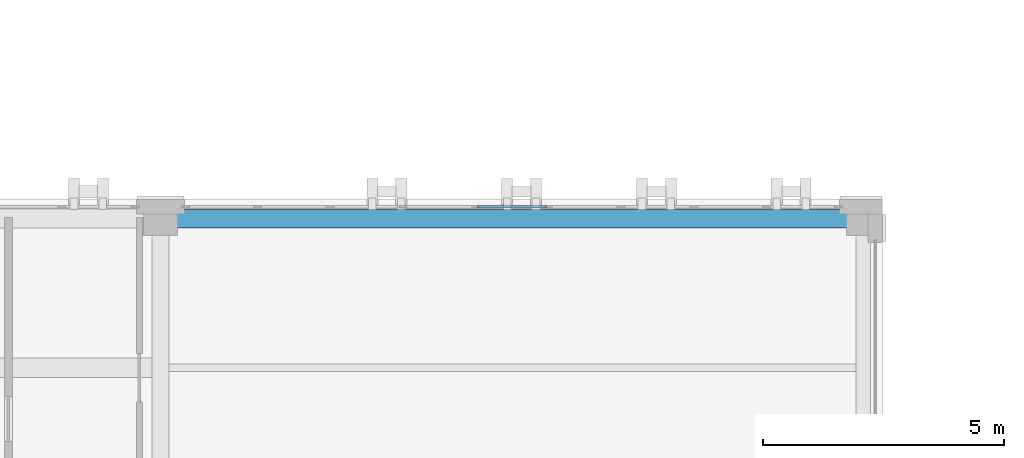
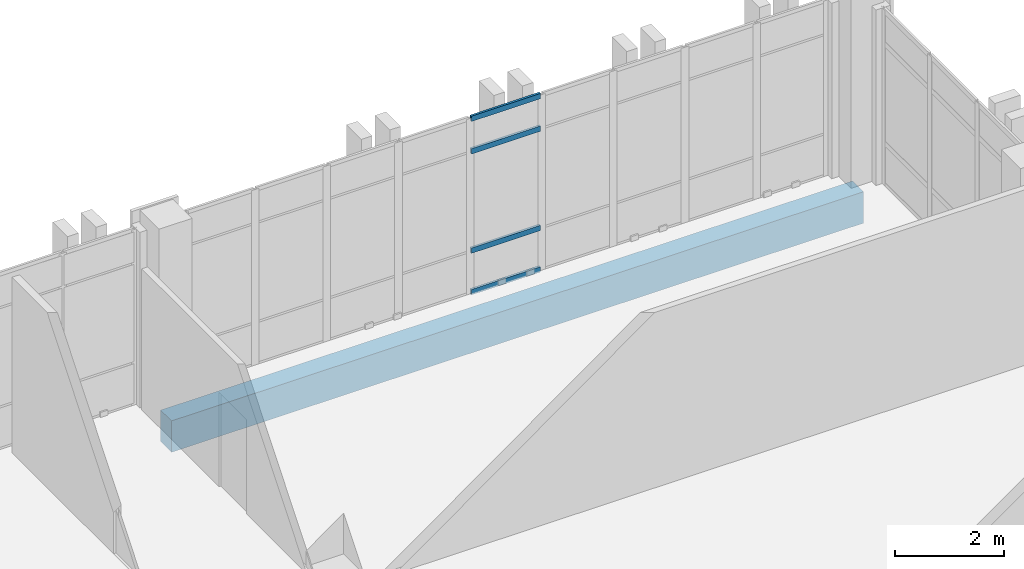
# One storey, part 111 of 193: 4 members, 1 beam, 1 element without a shape of its own.
"""IFC4 building model written with IfcOpenShell, lengths in metres."""

from ifc_helpers import new_model, si_unit, direction, frame, origin, origin_2d, place, context, subcontext, project, spatial, rectangle, hollow_rectangle, extrude, material, layer, layer_set, material_profile, profile_set, type_object, element, aggregate, save


model = new_model("IFC4")

# Units and contexts
model_context = context("Model", 3, precision=1e-05, world=origin(), true_north=direction((0.0, 1.0)))
body_context = subcontext(model_context, "Body", "Model", "MODEL_VIEW")
ifc_project = project(units=[si_unit("LENGTHUNIT", "METRE"), si_unit("AREAUNIT", "SQUARE_METRE"), si_unit("VOLUMEUNIT", "CUBIC_METRE"), si_unit("PLANEANGLEUNIT", "RADIAN"), si_unit("MASSUNIT", "GRAM", prefix="KILO")], contexts=[model_context])

# Site, building, storey
site_placement = place(None, origin())
site = spatial("IfcSite", under=ifc_project, at=site_placement, CompositionType="ELEMENT")
building_placement = place(site_placement, origin())
building = spatial("IfcBuilding", under=site, at=building_placement, Name="Qalavern Law Courts", CompositionType="ELEMENT")
storey_placement = place(building_placement, frame((0.0, 0.0, 10.199951171875)))
storey = spatial("IfcBuildingStorey", under=building, at=storey_placement, Name="L02", CompositionType="ELEMENT", Elevation=10.199951171875)

# Curtain wall, members
ifc_material_1 = material(Name="Anodised aluminium and insulated glazing", Category="aluminium")
ifc_layer = layer(ifc_material_1, 0.172119140625)
ifc_layer_set = layer_set([ifc_layer], Name="Anodised aluminium and insulated glazing")
curtain_wall_type = type_object("IfcCurtainWallType", Name="ENV-CW-COURT", PredefinedType="USERDEFINED", material=ifc_layer_set)
curtain_wall_placement = place(storey_placement, origin())
curtain_wall = element("IfcCurtainWall", 1, at=curtain_wall_placement, inside=storey, type_object=curtain_wall_type, Name="V4 unitised curtain wall L02 north 1", ObjectType="UNITISED CURTAIN WALL", PredefinedType="USERDEFINED")
ifc_material_2 = material(Name="Anodised aluminium", Category="aluminium")
ifc_material_profile_1 = material_profile(ifc_material_2, hollow_rectangle(XDim=0.048095703125, YDim=0.1201171875, WallThickness=0.00390625, at=origin_2d()), Name="ALU TRANSOM 48x120")
ifc_profile_set_1 = profile_set([ifc_material_profile_1], Name="Anodised aluminium")
member_type = type_object("IfcMemberType", Name="ENV-CWT-48x120", PredefinedType="USERDEFINED", material=ifc_profile_set_1)
member_1_placement = place(storey_placement, frame((99.83154296875, 85.64501953125, 0.024169921875), z_axis=(-1.0, 0.0, 0.0), x_axis=(0.0, -1.0, 0.0)))
member_1 = element("IfcMember", 2, at=member_1_placement, type_object=member_type, Name="CW-03 transom 5.1", ObjectType="TRANSOM", PredefinedType="USERDEFINED", context=body_context, shape_type="SweptSolid", body=[
    extrude(hollow_rectangle(XDim=0.048095703125, YDim=0.1201171875, WallThickness=0.00390625, at=origin_2d()), origin(), (0.0, 0.0, 1.0), 1.463134765625),
])
member_2_placement = place(storey_placement, frame((99.83154296875, 85.64501953125, 0.949951171875), z_axis=(-1.0, 0.0, 0.0), x_axis=(0.0, -1.0, 0.0)))
member_2 = element("IfcMember", 3, at=member_2_placement, type_object=member_type, Name="CW-03 transom 5.2", ObjectType="TRANSOM", PredefinedType="USERDEFINED", context=body_context, shape_type="SweptSolid", body=[
    extrude(hollow_rectangle(XDim=0.048095703125, YDim=0.1201171875, WallThickness=0.00390625, at=origin_2d()), origin(), (0.0, 0.0, 1.0), 1.463134765625),
])
member_3_placement = place(storey_placement, frame((99.83154296875, 85.64501953125, 3.1650390625), z_axis=(-1.0, 0.0, 0.0), x_axis=(0.0, -1.0, 0.0)))
member_3 = element("IfcMember", 4, at=member_3_placement, type_object=member_type, Name="CW-03 transom 5.3", ObjectType="TRANSOM", PredefinedType="USERDEFINED", context=body_context, shape_type="SweptSolid", body=[
    extrude(hollow_rectangle(XDim=0.048095703125, YDim=0.1201171875, WallThickness=0.00390625, at=origin_2d()), origin(), (0.0, 0.0, 1.0), 1.463134765625),
])
member_4_placement = place(storey_placement, frame((99.83154296875, 85.64501953125, 3.89111328125), z_axis=(-1.0, 0.0, 0.0), x_axis=(0.0, -1.0, 0.0)))
member_4 = element("IfcMember", 5, at=member_4_placement, type_object=member_type, Name="CW-03 transom 5.4", ObjectType="TRANSOM", PredefinedType="USERDEFINED", context=body_context, shape_type="SweptSolid", body=[
    extrude(hollow_rectangle(XDim=0.048095703125, YDim=0.1201171875, WallThickness=0.00390625, at=origin_2d()), origin(), (0.0, 0.0, 1.0), 1.463134765625),
])
aggregate(curtain_wall, [member_1, member_2, member_3, member_4])

# Beam
ifc_material_3 = material(Name="Concrete C40/50", Category="concrete")
ifc_material_profile_2 = material_profile(ifc_material_3, rectangle(XDim=0.39990234375, YDim=0.699951171875, at=origin_2d()), Name="RC 400x700")
ifc_profile_set_2 = profile_set([ifc_material_profile_2], Name="Concrete C40/50")
beam_type = type_object("IfcBeamType", Name="STR-SP-RC400x700", PredefinedType="SPANDREL", material=ifc_profile_set_2)
beam_placement = place(storey_placement, frame((91.800048828125, 85.39990234375, -0.639892578125), z_axis=(1.0, 0.0, 0.0), x_axis=(0.0, 1.0, 0.0)))
element("IfcBeam", 6, at=beam_placement, inside=storey, type_object=beam_type, Name="V4 X-beam 7-2 L02", PredefinedType="SPANDREL", context=body_context, shape_type="SweptSolid", body=[
    extrude(rectangle(XDim=0.39990234375, YDim=0.699951171875, at=origin_2d()), origin(), (0.0, 0.0, 1.0), 14.599853515625),
])

save(model, "model.ifc")
